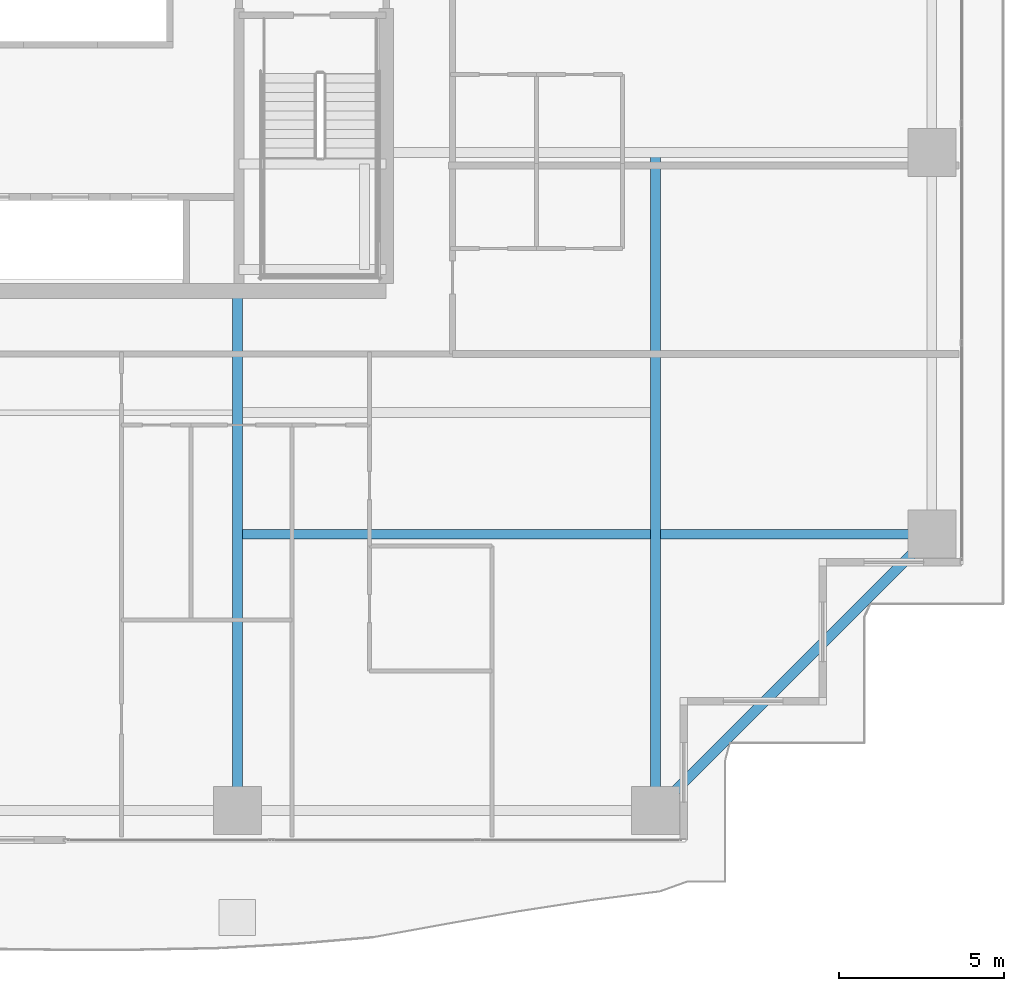
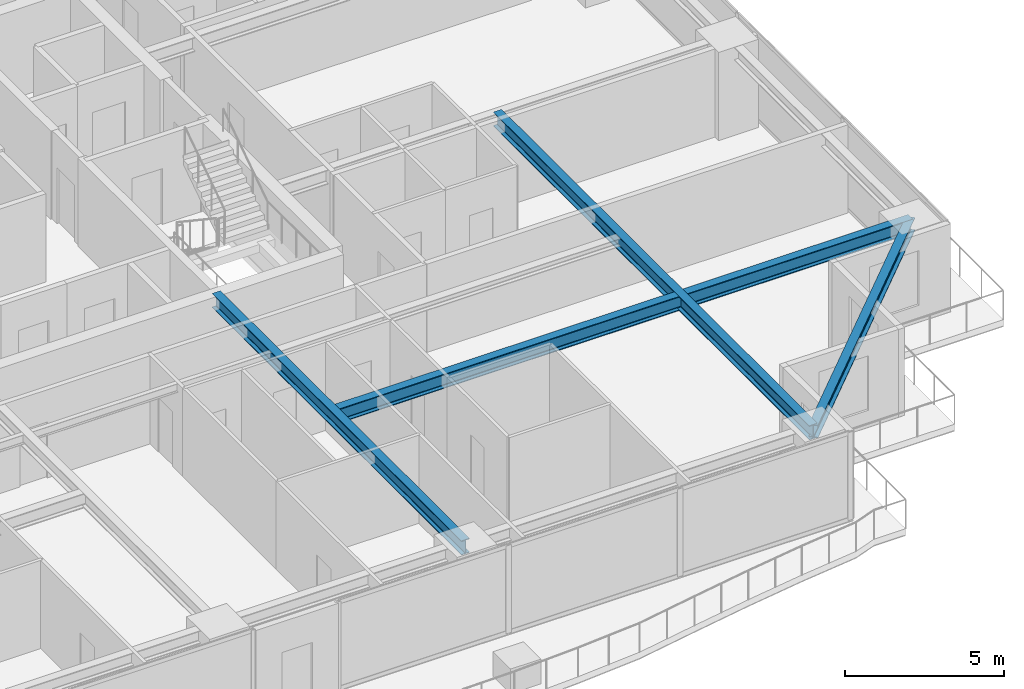
# One storey, part 12 of 40: 4 beams.
"""IFC4 building model written with IfcOpenShell, lengths in metres."""

from ifc_helpers import new_model, si_unit, direction, frame, origin, origin_2d, place, context, subcontext, project, spatial, i_section, extrude, source, transform, mapped, material, material_profile, profile_set, type_object, element, save


model = new_model("IFC4")

# Units and contexts
model_context = context("Model", 3, precision=1e-05, world=origin(), true_north=direction((0.0, 1.0)))
body_context = subcontext(model_context, "Body", "Model", "MODEL_VIEW")
ifc_project = project(units=[si_unit("LENGTHUNIT", "METRE"), si_unit("AREAUNIT", "SQUARE_METRE"), si_unit("VOLUMEUNIT", "CUBIC_METRE"), si_unit("PLANEANGLEUNIT", "RADIAN"), si_unit("MASSUNIT", "GRAM", prefix="KILO")], contexts=[model_context])

# Site, building, storey
site_placement = place(None, origin())
site = spatial("IfcSite", under=ifc_project, at=site_placement, CompositionType="ELEMENT")
building_placement = place(site_placement, origin())
building = spatial("IfcBuilding", under=site, at=building_placement, Name="Serunith Strait Residences", CompositionType="ELEMENT")
storey_placement = place(building_placement, frame((0.0, 0.0, 105.449951171875)))
storey = spatial("IfcBuildingStorey", under=building, at=storey_placement, Name="L26", CompositionType="ELEMENT", Elevation=105.449951171875)

# Beams
ifc_material = material(Name="Steel S355J2", Category="steel")
ifc_material_profile_1 = material_profile(ifc_material, i_section(OverallWidth=0.300048828125, OverallDepth=0.550048828125, WebThickness=0.014892578125, FlangeThickness=0.029052734375, FilletRadius=0.027099609375, at=origin_2d()), Name="HEB 550")
ifc_profile_set_1 = profile_set([ifc_material_profile_1], Name="Steel S355J2")
beam_type_1 = type_object("IfcBeamType", Name="BM-HEB550", PredefinedType="BEAM", material=ifc_profile_set_1)
shared_shape_1 = source(origin(), body_context, "Body", "SweptSolid", [
    extrude(i_section(OverallWidth=0.300048828125, OverallDepth=0.550048828125, WebThickness=0.014892578125, FlangeThickness=0.029052734375, FilletRadius=0.027099609375, at=origin_2d()), origin(), (0.0, 0.0, 1.0), 15.699951171875),
])
beam_1_placement = place(storey_placement, frame((36.89990234375, 16.800048828125, 3.112060546875), z_axis=(0.0, -1.0, 0.0), x_axis=(1.0, 0.0, 0.0)))
element("IfcBeam", 1, at=beam_1_placement, inside=storey, type_object=beam_type_1, Name="L26 Primary Floor Girder TC-S3", PredefinedType="BEAM", context=body_context, shape_type="MappedRepresentation", body=[
    mapped(shared_shape_1, transform((0.0, 0.0, 0.0), scale=1.0)),
])
shared_shape_2 = source(origin(), body_context, "Body", "SweptSolid", [
    extrude(i_section(OverallWidth=0.300048828125, OverallDepth=0.550048828125, WebThickness=0.014892578125, FlangeThickness=0.029052734375, FilletRadius=0.027099609375, at=origin_2d()), origin(), (0.0, 0.0, 1.0), 19.89990234375),
])
beam_2_placement = place(storey_placement, frame((49.550048828125, 21.0, 3.112060546875), z_axis=(0.0, -1.0, 0.0), x_axis=(1.0, 0.0, 0.0)))
element("IfcBeam", 2, at=beam_2_placement, inside=storey, type_object=beam_type_1, Name="L26 Orthogonal Corner Girder TC-S4", PredefinedType="BEAM", context=body_context, shape_type="MappedRepresentation", body=[
    mapped(shared_shape_2, transform((0.0, 0.0, 0.0), scale=1.0)),
])
shared_shape_3 = source(origin(), body_context, "Body", "SweptSolid", [
    extrude(i_section(OverallWidth=0.300048828125, OverallDepth=0.550048828125, WebThickness=0.014892578125, FlangeThickness=0.029052734375, FilletRadius=0.027099609375, at=origin_2d()), origin(), (0.0, 0.0, 1.0), 21.0),
])
beam_3_placement = place(storey_placement, frame((36.89990234375, 9.449951171875, 3.112060546875), z_axis=(1.0, 0.0, 0.0), x_axis=(0.0, 1.0, 0.0)))
element("IfcBeam", 3, at=beam_3_placement, inside=storey, type_object=beam_type_1, Name="L26 Orthogonal Corner Girder TC-E1", PredefinedType="BEAM", context=body_context, shape_type="MappedRepresentation", body=[
    mapped(shared_shape_3, transform((0.0, 0.0, 0.0), scale=1.0)),
])
ifc_material_profile_2 = material_profile(ifc_material, i_section(OverallWidth=0.300048828125, OverallDepth=0.5, WebThickness=0.014404296875, FlangeThickness=0.028076171875, FilletRadius=0.027099609375, at=origin_2d()), Name="HEB 500")
ifc_profile_set_2 = profile_set([ifc_material_profile_2], Name="Steel S355J2")
beam_type_2 = type_object("IfcBeamType", Name="BM-HEB500", PredefinedType="BEAM", material=ifc_profile_set_2)
shared_shape_4 = source(origin(), body_context, "Body", "SweptSolid", [
    extrude(i_section(OverallWidth=0.300048828125, OverallDepth=0.5, WebThickness=0.014404296875, FlangeThickness=0.028076171875, FilletRadius=0.027099609375, at=origin_2d()), origin(), (0.0, 0.0, 1.0), 11.80859375),
])
beam_4_placement = place(storey_placement, frame((49.550048828125, 1.10009765625, 3.136962890625), z_axis=(0.707106781187, 0.707106781187, 0.0), x_axis=(-0.707106781187, 0.707106781187, 0.0)))
element("IfcBeam", 4, at=beam_4_placement, inside=storey, type_object=beam_type_2, Name="L26 Perimeter Ring Beam 04", PredefinedType="BEAM", context=body_context, shape_type="MappedRepresentation", body=[
    mapped(shared_shape_4, transform((0.0, 0.0, 0.0), scale=1.0)),
])

save(model, "model.ifc")
